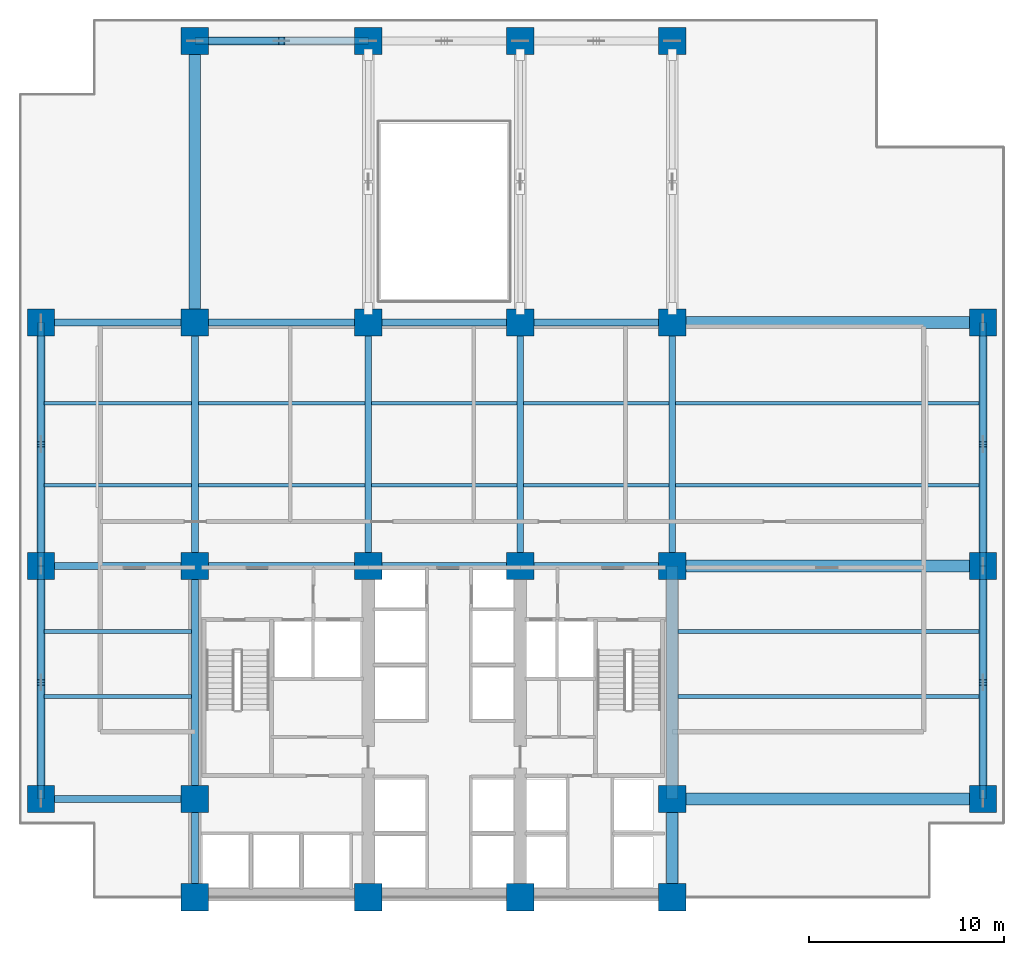
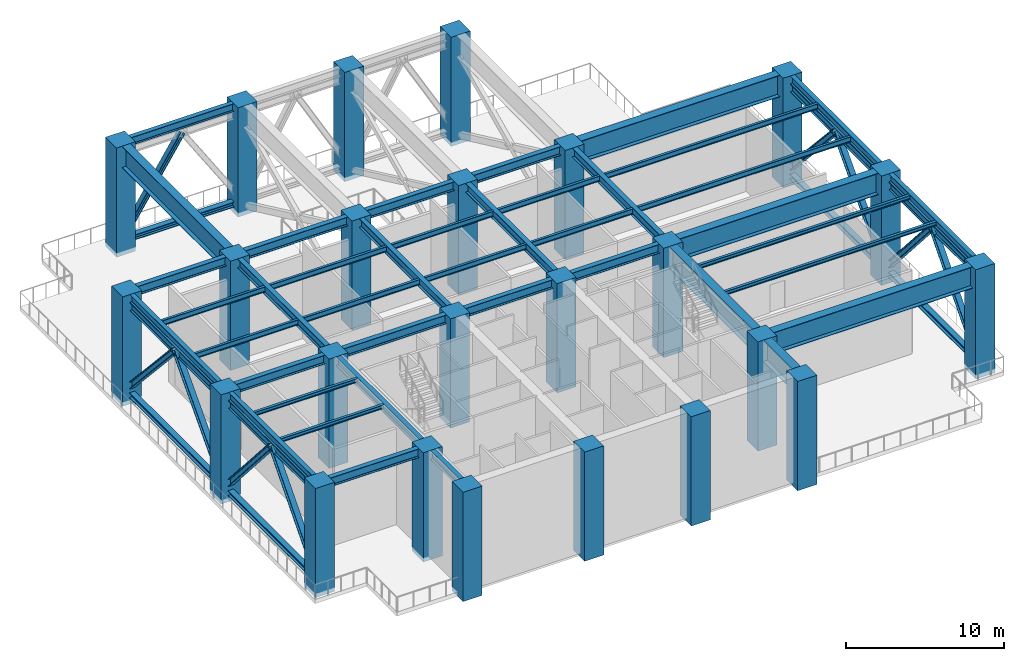
# One storey, part 1 of 7: 40 beams, 24 columns, 18 members.
"""IFC4 building model written with IfcOpenShell, lengths in metres."""

from ifc_helpers import new_model, si_unit, direction, frame, origin, origin_2d, place, context, subcontext, project, spatial, rectangle, i_section, extrude, material, material_profile, profile_set, type_object, element, save


model = new_model("IFC4")

# Units and contexts
model_context = context("Model", 3, precision=1e-05, world=origin(), true_north=direction((0.0, 1.0)))
body_context = subcontext(model_context, "Body", "Model", "MODEL_VIEW")
ifc_project = project(units=[si_unit("LENGTHUNIT", "METRE"), si_unit("AREAUNIT", "SQUARE_METRE"), si_unit("VOLUMEUNIT", "CUBIC_METRE"), si_unit("PLANEANGLEUNIT", "RADIAN"), si_unit("MASSUNIT", "GRAM", prefix="KILO")], contexts=[model_context])

# Site, building, storey
site_placement = place(None, origin())
site = spatial("IfcSite", under=ifc_project, at=site_placement, CompositionType="ELEMENT")
building_placement = place(site_placement, origin())
building = spatial("IfcBuilding", under=site, at=building_placement, Name="Qalmaran Belvedere Hotel", CompositionType="ELEMENT")
storey_placement = place(building_placement, frame((0.0, 0.0, 75.39990234375)))
storey = spatial("IfcBuildingStorey", under=building, at=storey_placement, Name="L19", CompositionType="ELEMENT", Elevation=75.39990234375)

# Columns
ifc_material_1 = material(Name="Concrete C60/75", Category="concrete")
ifc_material_profile_1 = material_profile(ifc_material_1, rectangle(XDim=1.39990234375, YDim=1.39990234375, at=origin_2d()), Name="CC1400X1400")
ifc_profile_set_1 = profile_set([ifc_material_profile_1], Name="Concrete C60/75")
column_type = type_object("IfcColumnType", Name="COL-Z1-CC1400", PredefinedType="COLUMN", material=ifc_profile_set_1)
for number, where, z_axis, x_axis, name in (
    (1, (20.300048828125, 3.5, -0.31982421875), (0.0, 0.0, 1.0), (1.0, 0.0, 0.0), "L19 Column C4B"),
    (2, (29.199951171875, 3.5, -0.31982421875), (0.0, 0.0, 1.0), (1.0, 0.0, 0.0), "L19 Column C5B"),
    (3, (37.0, 3.5, -0.31982421875), (0.0, 0.0, 1.0), (1.0, 0.0, 0.0), "L19 Column C6B"),
    (4, (44.800048828125, 3.5, -0.31982421875), (0.0, 0.0, 1.0), (1.0, 0.0, 0.0), "L19 Column C7B"),
    (5, (20.300048828125, 8.550048828125, -0.31982421875), (0.0, 0.0, 1.0), (1.0, 0.0, 0.0), "L19 Column C4C"),
    (6, (44.800048828125, 8.550048828125, -0.31982421875), (0.0, 0.0, 1.0), (1.0, 0.0, 0.0), "L19 Column C7C"),
    (7, (20.300048828125, 20.5, -0.31982421875), (0.0, 0.0, 1.0), (1.0, 0.0, 0.0), "L19 Column C4D"),
    (8, (29.199951171875, 20.5, -0.31982421875), (0.0, 0.0, 1.0), (1.0, 0.0, 0.0), "L19 Column C5D"),
    (9, (37.0, 20.5, -0.31982421875), (0.0, 0.0, 1.0), (1.0, 0.0, 0.0), "L19 Column C6D"),
    (10, (44.800048828125, 20.5, -0.31982421875), (0.0, 0.0, 1.0), (1.0, 0.0, 0.0), "L19 Column C7D"),
    (11, (20.300048828125, 33.0, -0.31982421875), (0.0, 0.0, 1.0), (1.0, 0.0, 0.0), "L19 Column C4F"),
    (12, (29.199951171875, 33.0, -0.31982421875), (0.0, 0.0, 1.0), (1.0, 0.0, 0.0), "L19 Column C5F"),
    (13, (37.0, 33.0, -0.31982421875), (0.0, 0.0, 1.0), (1.0, 0.0, 0.0), "L19 Column C6F"),
    (14, (44.800048828125, 33.0, -0.31982421875), (0.0, 0.0, 1.0), (1.0, 0.0, 0.0), "L19 Column C7F"),
    (15, (12.39990234375, 8.550048828125, -0.31982421875), (0.0, 0.0, 1.0), (1.0, 0.0, 0.0), "L19 Column CW1"),
    (16, (12.39990234375, 20.5, -0.31982421875), (0.0, 0.0, 1.0), (1.0, 0.0, 0.0), "L19 Column CW3"),
    (17, (12.39990234375, 33.0, -0.31982421875), (0.0, 0.0, 1.0), (1.0, 0.0, 0.0), "L19 Column CW4"),
    (18, (60.75, 8.550048828125, -0.31982421875), (0.0, 0.0, 1.0), (1.0, 0.0, 0.0), "L19 Column CE1"),
    (19, (60.75, 20.5, -0.31982421875), (0.0, 0.0, 1.0), (1.0, 0.0, 0.0), "L19 Column CE3"),
    (20, (60.75, 33.0, -0.31982421875), (0.0, 0.0, 1.0), (1.0, 0.0, 0.0), "L19 Column CE4"),
    (21, (20.300048828125, 47.449951171875, -0.31982421875), (0.0, 0.0, 1.0), (1.0, 0.0, 0.0), "L19 Column CN1"),
    (22, (29.199951171875, 47.449951171875, -0.31982421875), (0.0, 0.0, 1.0), (1.0, 0.0, 0.0), "L19 Column CN2"),
    (23, (37.0, 47.449951171875, -0.31982421875), (0.0, 0.0, 1.0), (1.0, 0.0, 0.0), "L19 Column CN3"),
    (24, (44.800048828125, 47.449951171875, -0.31982421875), (0.0, 0.0, 1.0), (1.0, 0.0, 0.0), "L19 Column CN4"),
):
    element("IfcColumn", number, at=place(storey_placement, frame(where, z_axis=z_axis, x_axis=x_axis)), inside=storey, type_object=column_type, Name=name, PredefinedType="COLUMN", context=body_context, shape_type="SweptSolid", body=[
        extrude(rectangle(XDim=1.39990234375, YDim=1.39990234375, at=origin_2d()), origin(), (0.0, 0.0, 1.0), 8.4599609375),
    ])

# Beams
ifc_material_2 = material(Name="Steel S355JR", Category="steel")
ifc_material_profile_2 = material_profile(ifc_material_2, i_section(OverallWidth=0.202880859375, OverallDepth=0.302978515625, WebThickness=0.007568359375, FlangeThickness=0.01318359375, FilletRadius=0.012939453125, at=origin_2d()), Name="W310X60")
ifc_profile_set_2 = profile_set([ifc_material_profile_2], Name="Steel S355JR")
beam_type_1 = type_object("IfcBeamType", Name="BM-JST-W310X60", PredefinedType="JOIST", material=ifc_profile_set_2)
beam_1_placement = place(storey_placement, frame((12.5615234375, 13.800048828125, 7.988525390625), z_axis=(1.0, 0.0, 0.0), x_axis=(0.0, 1.0, 0.0)))
element("IfcBeam", 25, at=beam_1_placement, inside=storey, type_object=beam_type_1, Name="L19 West Wing Joist 038", PredefinedType="JOIST", context=body_context, shape_type="SweptSolid", body=[
    extrude(i_section(OverallWidth=0.202880859375, OverallDepth=0.302978515625, WebThickness=0.007568359375, FlangeThickness=0.01318359375, FilletRadius=0.012939453125, at=origin_2d()), origin(), (0.0, 0.0, 1.0), 7.56298828125),
])
beam_2_placement = place(storey_placement, frame((45.097900390625, 13.800048828125, 7.988525390625), z_axis=(1.0, 0.0, 0.0), x_axis=(0.0, 1.0, 0.0)))
element("IfcBeam", 26, at=beam_2_placement, inside=storey, type_object=beam_type_1, Name="L19 East Wing Joist 039", PredefinedType="JOIST", context=body_context, shape_type="SweptSolid", body=[
    extrude(i_section(OverallWidth=0.202880859375, OverallDepth=0.302978515625, WebThickness=0.007568359375, FlangeThickness=0.01318359375, FilletRadius=0.012939453125, at=origin_2d()), origin(), (0.0, 0.0, 1.0), 15.490478515625),
])
beam_3_placement = place(storey_placement, frame((12.5615234375, 17.14990234375, 7.988525390625), z_axis=(1.0, 0.0, 0.0), x_axis=(0.0, 1.0, 0.0)))
element("IfcBeam", 27, at=beam_3_placement, inside=storey, type_object=beam_type_1, Name="L19 West Wing Joist 040", PredefinedType="JOIST", context=body_context, shape_type="SweptSolid", body=[
    extrude(i_section(OverallWidth=0.202880859375, OverallDepth=0.302978515625, WebThickness=0.007568359375, FlangeThickness=0.01318359375, FilletRadius=0.012939453125, at=origin_2d()), origin(), (0.0, 0.0, 1.0), 7.56298828125),
])
beam_4_placement = place(storey_placement, frame((45.097900390625, 17.14990234375, 7.988525390625), z_axis=(1.0, 0.0, 0.0), x_axis=(0.0, 1.0, 0.0)))
element("IfcBeam", 28, at=beam_4_placement, inside=storey, type_object=beam_type_1, Name="L19 East Wing Joist 041", PredefinedType="JOIST", context=body_context, shape_type="SweptSolid", body=[
    extrude(i_section(OverallWidth=0.202880859375, OverallDepth=0.302978515625, WebThickness=0.007568359375, FlangeThickness=0.01318359375, FilletRadius=0.012939453125, at=origin_2d()), origin(), (0.0, 0.0, 1.0), 15.490478515625),
])
ifc_material_profile_3 = material_profile(ifc_material_2, i_section(OverallWidth=0.180908203125, OverallDepth=0.4169921875, WebThickness=0.010986328125, FlangeThickness=0.018310546875, FilletRadius=0.014892578125, at=origin_2d()), Name="W410X85")
ifc_profile_set_3 = profile_set([ifc_material_profile_3], Name="Steel S355JR")
beam_type_2 = type_object("IfcBeamType", Name="BM-SB1-W410X85", PredefinedType="BEAM", material=ifc_profile_set_3)
beam_5_placement = place(storey_placement, frame((12.5615234375, 24.64990234375, 7.931640625), z_axis=(1.0, 0.0, 0.0), x_axis=(0.0, 1.0, 0.0)))
element("IfcBeam", 29, at=beam_5_placement, inside=storey, type_object=beam_type_2, Name="L19 West Secondary Beam 028", PredefinedType="BEAM", context=body_context, shape_type="SweptSolid", body=[
    extrude(i_section(OverallWidth=0.180908203125, OverallDepth=0.4169921875, WebThickness=0.010986328125, FlangeThickness=0.018310546875, FilletRadius=0.014892578125, at=origin_2d()), origin(), (0.0, 0.0, 1.0), 7.56298828125),
])
beam_6_placement = place(storey_placement, frame((20.4755859375, 24.64990234375, 7.931640625), z_axis=(1.0, 0.0, 0.0), x_axis=(0.0, 1.0, 0.0)))
element("IfcBeam", 30, at=beam_6_placement, inside=storey, type_object=beam_type_2, Name="L19 Secondary Floor Beam 029", PredefinedType="BEAM", context=body_context, shape_type="SweptSolid", body=[
    extrude(i_section(OverallWidth=0.180908203125, OverallDepth=0.4169921875, WebThickness=0.010986328125, FlangeThickness=0.018310546875, FilletRadius=0.014892578125, at=origin_2d()), origin(), (0.0, 0.0, 1.0), 8.548828125),
])
for number, where, z_axis, x_axis, name in (
    (31, (29.37548828125, 24.64990234375, 7.931640625), (1.0, 0.0, 0.0), (0.0, 1.0, 0.0), "L19 Secondary Floor Beam 030"),
    (32, (37.175537109375, 24.64990234375, 7.931640625), (1.0, 0.0, 0.0), (0.0, 1.0, 0.0), "L19 Secondary Floor Beam 031"),
):
    element("IfcBeam", number, at=place(storey_placement, frame(where, z_axis=z_axis, x_axis=x_axis)), inside=storey, type_object=beam_type_2, Name=name, PredefinedType="BEAM", context=body_context, shape_type="SweptSolid", body=[
        extrude(i_section(OverallWidth=0.180908203125, OverallDepth=0.4169921875, WebThickness=0.010986328125, FlangeThickness=0.018310546875, FilletRadius=0.014892578125, at=origin_2d()), origin(), (0.0, 0.0, 1.0), 7.448974609375),
    ])
beam_7_placement = place(storey_placement, frame((44.9755859375, 24.64990234375, 7.931640625), z_axis=(1.0, 0.0, 0.0), x_axis=(0.0, 1.0, 0.0)))
element("IfcBeam", 33, at=beam_7_placement, inside=storey, type_object=beam_type_2, Name="L19 East Secondary Beam 032", PredefinedType="BEAM", context=body_context, shape_type="SweptSolid", body=[
    extrude(i_section(OverallWidth=0.180908203125, OverallDepth=0.4169921875, WebThickness=0.010986328125, FlangeThickness=0.018310546875, FilletRadius=0.014892578125, at=origin_2d()), origin(), (0.0, 0.0, 1.0), 15.61279296875),
])
beam_8_placement = place(storey_placement, frame((12.5615234375, 28.85009765625, 7.931640625), z_axis=(1.0, 0.0, 0.0), x_axis=(0.0, 1.0, 0.0)))
element("IfcBeam", 34, at=beam_8_placement, inside=storey, type_object=beam_type_2, Name="L19 West Secondary Beam 033", PredefinedType="BEAM", context=body_context, shape_type="SweptSolid", body=[
    extrude(i_section(OverallWidth=0.180908203125, OverallDepth=0.4169921875, WebThickness=0.010986328125, FlangeThickness=0.018310546875, FilletRadius=0.014892578125, at=origin_2d()), origin(), (0.0, 0.0, 1.0), 7.56298828125),
])
beam_9_placement = place(storey_placement, frame((20.4755859375, 28.85009765625, 7.931640625), z_axis=(1.0, 0.0, 0.0), x_axis=(0.0, 1.0, 0.0)))
element("IfcBeam", 35, at=beam_9_placement, inside=storey, type_object=beam_type_2, Name="L19 Secondary Floor Beam 034", PredefinedType="BEAM", context=body_context, shape_type="SweptSolid", body=[
    extrude(i_section(OverallWidth=0.180908203125, OverallDepth=0.4169921875, WebThickness=0.010986328125, FlangeThickness=0.018310546875, FilletRadius=0.014892578125, at=origin_2d()), origin(), (0.0, 0.0, 1.0), 8.548828125),
])
for number, where, z_axis, x_axis, name in (
    (36, (29.37548828125, 28.85009765625, 7.931640625), (1.0, 0.0, 0.0), (0.0, 1.0, 0.0), "L19 Secondary Floor Beam 035"),
    (37, (37.175537109375, 28.85009765625, 7.931640625), (1.0, 0.0, 0.0), (0.0, 1.0, 0.0), "L19 Secondary Floor Beam 036"),
):
    element("IfcBeam", number, at=place(storey_placement, frame(where, z_axis=z_axis, x_axis=x_axis)), inside=storey, type_object=beam_type_2, Name=name, PredefinedType="BEAM", context=body_context, shape_type="SweptSolid", body=[
        extrude(i_section(OverallWidth=0.180908203125, OverallDepth=0.4169921875, WebThickness=0.010986328125, FlangeThickness=0.018310546875, FilletRadius=0.014892578125, at=origin_2d()), origin(), (0.0, 0.0, 1.0), 7.448974609375),
    ])
beam_10_placement = place(storey_placement, frame((44.9755859375, 28.85009765625, 7.931640625), z_axis=(1.0, 0.0, 0.0), x_axis=(0.0, 1.0, 0.0)))
element("IfcBeam", 38, at=beam_10_placement, inside=storey, type_object=beam_type_2, Name="L19 East Secondary Beam 037", PredefinedType="BEAM", context=body_context, shape_type="SweptSolid", body=[
    extrude(i_section(OverallWidth=0.180908203125, OverallDepth=0.4169921875, WebThickness=0.010986328125, FlangeThickness=0.018310546875, FilletRadius=0.014892578125, at=origin_2d()), origin(), (0.0, 0.0, 1.0), 15.61279296875),
])
ifc_material_profile_4 = material_profile(ifc_material_2, i_section(OverallWidth=0.326904296875, OverallDepth=0.6220703125, WebThickness=0.015380859375, FlangeThickness=0.0244140625, FilletRadius=0.02001953125, at=origin_2d()), Name="W610X195")
ifc_profile_set_4 = profile_set([ifc_material_profile_4], Name="Steel S355JR")
beam_type_3 = type_object("IfcBeamType", Name="BM-SP1-W610X195", PredefinedType="SPANDREL", material=ifc_profile_set_4)
beam_11_placement = place(storey_placement, frame((12.39990234375, 8.550048828125, 7.8291015625), z_axis=(0.0, 1.0, 0.0), x_axis=(-1.0, 0.0, 0.0)))
element("IfcBeam", 39, at=beam_11_placement, inside=storey, type_object=beam_type_3, Name="L19 Perimeter Spandrel 01", PredefinedType="SPANDREL", context=body_context, shape_type="SweptSolid", body=[
    extrude(i_section(OverallWidth=0.326904296875, OverallDepth=0.6220703125, WebThickness=0.015380859375, FlangeThickness=0.0244140625, FilletRadius=0.02001953125, at=origin_2d()), origin(), (0.0, 0.0, 1.0), 11.949951171875),
])
beam_12_placement = place(storey_placement, frame((12.39990234375, 20.5, 7.8291015625), z_axis=(0.0, 1.0, 0.0), x_axis=(-1.0, 0.0, 0.0)))
element("IfcBeam", 40, at=beam_12_placement, inside=storey, type_object=beam_type_3, Name="L19 Perimeter Spandrel 02", PredefinedType="SPANDREL", context=body_context, shape_type="SweptSolid", body=[
    extrude(i_section(OverallWidth=0.326904296875, OverallDepth=0.6220703125, WebThickness=0.015380859375, FlangeThickness=0.0244140625, FilletRadius=0.02001953125, at=origin_2d()), origin(), (0.0, 0.0, 1.0), 12.5),
])
beam_13_placement = place(storey_placement, frame((60.75, 8.550048828125, 7.8291015625), z_axis=(0.0, 1.0, 0.0), x_axis=(-1.0, 0.0, 0.0)))
element("IfcBeam", 41, at=beam_13_placement, inside=storey, type_object=beam_type_3, Name="L19 Perimeter Spandrel 03", PredefinedType="SPANDREL", context=body_context, shape_type="SweptSolid", body=[
    extrude(i_section(OverallWidth=0.326904296875, OverallDepth=0.6220703125, WebThickness=0.015380859375, FlangeThickness=0.0244140625, FilletRadius=0.02001953125, at=origin_2d()), origin(), (0.0, 0.0, 1.0), 11.949951171875),
])
beam_14_placement = place(storey_placement, frame((60.75, 20.5, 7.8291015625), z_axis=(0.0, 1.0, 0.0), x_axis=(-1.0, 0.0, 0.0)))
element("IfcBeam", 42, at=beam_14_placement, inside=storey, type_object=beam_type_3, Name="L19 Perimeter Spandrel 04", PredefinedType="SPANDREL", context=body_context, shape_type="SweptSolid", body=[
    extrude(i_section(OverallWidth=0.326904296875, OverallDepth=0.6220703125, WebThickness=0.015380859375, FlangeThickness=0.0244140625, FilletRadius=0.02001953125, at=origin_2d()), origin(), (0.0, 0.0, 1.0), 12.5),
])
beam_15_placement = place(storey_placement, frame((20.300048828125, 47.449951171875, 7.8291015625), z_axis=(1.0, 0.0, 0.0), x_axis=(0.0, 1.0, 0.0)))
element("IfcBeam", 43, at=beam_15_placement, inside=storey, type_object=beam_type_3, Name="L19 Perimeter Spandrel 05", PredefinedType="SPANDREL", context=body_context, shape_type="SweptSolid", body=[
    extrude(i_section(OverallWidth=0.326904296875, OverallDepth=0.6220703125, WebThickness=0.015380859375, FlangeThickness=0.0244140625, FilletRadius=0.02001953125, at=origin_2d()), origin(), (0.0, 0.0, 1.0), 8.89990234375),
])
ifc_material_profile_5 = material_profile(ifc_material_2, i_section(OverallWidth=0.60009765625, OverallDepth=1.679931640625, WebThickness=0.02587890625, FlangeThickness=0.035888671875, at=origin_2d()), Name="PG1680X600X36")
ifc_profile_set_5 = profile_set([ifc_material_profile_5], Name="Steel S355JR")
beam_type_4 = type_object("IfcBeamType", Name="BM-TG5-PG1680X600", PredefinedType="USERDEFINED", material=ifc_profile_set_5)
beam_16_placement = place(storey_placement, frame((20.300048828125, 33.0, 7.300048828125), z_axis=(0.0, 1.0, 0.0), x_axis=(-1.0, 0.0, 0.0)))
element("IfcBeam", 44, at=beam_16_placement, inside=storey, type_object=beam_type_4, Name="L19 North Bay Setback Transfer Girder 15", ObjectType="GIRDER", PredefinedType="USERDEFINED", context=body_context, shape_type="SweptSolid", body=[
    extrude(i_section(OverallWidth=0.60009765625, OverallDepth=1.679931640625, WebThickness=0.02587890625, FlangeThickness=0.035888671875, at=origin_2d()), origin(), (0.0, 0.0, 1.0), 14.449951171875),
])
beam_17_placement = place(storey_placement, frame((44.800048828125, 3.5, 7.300048828125), z_axis=(0.0, 1.0, 0.0), x_axis=(-1.0, 0.0, 0.0)))
element("IfcBeam", 45, at=beam_17_placement, inside=storey, type_object=beam_type_4, Name="L19 East Core Edge Girder A", ObjectType="GIRDER", PredefinedType="USERDEFINED", context=body_context, shape_type="SweptSolid", body=[
    extrude(i_section(OverallWidth=0.60009765625, OverallDepth=1.679931640625, WebThickness=0.02587890625, FlangeThickness=0.035888671875, at=origin_2d()), origin(), (0.0, 0.0, 1.0), 5.050048828125),
])
beam_18_placement = place(storey_placement, frame((44.800048828125, 8.550048828125, 7.300048828125), z_axis=(0.0, 1.0, 0.0), x_axis=(-1.0, 0.0, 0.0)))
element("IfcBeam", 46, at=beam_18_placement, inside=storey, type_object=beam_type_4, Name="L19 East Core Edge Girder B", ObjectType="GIRDER", PredefinedType="USERDEFINED", context=body_context, shape_type="SweptSolid", body=[
    extrude(i_section(OverallWidth=0.60009765625, OverallDepth=1.679931640625, WebThickness=0.02587890625, FlangeThickness=0.035888671875, at=origin_2d()), origin(), (0.0, 0.0, 1.0), 11.949951171875),
])
for number, where, z_axis, x_axis, name in (
    (47, (44.800048828125, 8.550048828125, 7.300048828125), (1.0, 0.0, 0.0), (0.0, 1.0, 0.0), "L19 East Wing Setback Transfer Girder 25"),
    (48, (44.800048828125, 20.5, 7.300048828125), (1.0, 0.0, 0.0), (0.0, 1.0, 0.0), "L19 East Wing Setback Transfer Girder 26"),
    (49, (44.800048828125, 33.0, 7.300048828125), (1.0, 0.0, 0.0), (0.0, 1.0, 0.0), "L19 East Wing Setback Transfer Girder 27"),
):
    element("IfcBeam", number, at=place(storey_placement, frame(where, z_axis=z_axis, x_axis=x_axis)), inside=storey, type_object=beam_type_4, Name=name, ObjectType="GIRDER", PredefinedType="USERDEFINED", context=body_context, shape_type="SweptSolid", body=[
        extrude(i_section(OverallWidth=0.60009765625, OverallDepth=1.679931640625, WebThickness=0.02587890625, FlangeThickness=0.035888671875, at=origin_2d()), origin(), (0.0, 0.0, 1.0), 15.949951171875),
    ])
ifc_material_profile_6 = material_profile(ifc_material_2, i_section(OverallWidth=0.35498046875, OverallDepth=0.695068359375, WebThickness=0.015380859375, FlangeThickness=0.02490234375, FilletRadius=0.02197265625, at=origin_2d()), Name="W690X217")
ifc_profile_set_6 = profile_set([ifc_material_profile_6], Name="Steel S355JR")
beam_type_5 = type_object("IfcBeamType", Name="BM-Z1-W690X217", PredefinedType="USERDEFINED", material=ifc_profile_set_6)
beam_19_placement = place(storey_placement, frame((20.300048828125, 20.5, 7.79248046875), z_axis=(1.0, 0.0, 0.0), x_axis=(0.0, 1.0, 0.0)))
element("IfcBeam", 50, at=beam_19_placement, inside=storey, type_object=beam_type_5, Name="L19 Interior E-W Girder 08", ObjectType="GIRDER", PredefinedType="USERDEFINED", context=body_context, shape_type="SweptSolid", body=[
    extrude(i_section(OverallWidth=0.35498046875, OverallDepth=0.695068359375, WebThickness=0.015380859375, FlangeThickness=0.02490234375, FilletRadius=0.02197265625, at=origin_2d()), origin(), (0.0, 0.0, 1.0), 8.89990234375),
])
for number, where, z_axis, x_axis, name in (
    (51, (29.199951171875, 20.5, 7.79248046875), (1.0, 0.0, 0.0), (0.0, 1.0, 0.0), "L19 Interior E-W Girder 09"),
    (52, (37.0, 20.5, 7.79248046875), (1.0, 0.0, 0.0), (0.0, 1.0, 0.0), "L19 Interior E-W Girder 10"),
):
    element("IfcBeam", number, at=place(storey_placement, frame(where, z_axis=z_axis, x_axis=x_axis)), inside=storey, type_object=beam_type_5, Name=name, ObjectType="GIRDER", PredefinedType="USERDEFINED", context=body_context, shape_type="SweptSolid", body=[
        extrude(i_section(OverallWidth=0.35498046875, OverallDepth=0.695068359375, WebThickness=0.015380859375, FlangeThickness=0.02490234375, FilletRadius=0.02197265625, at=origin_2d()), origin(), (0.0, 0.0, 1.0), 7.800048828125),
    ])
beam_20_placement = place(storey_placement, frame((20.300048828125, 33.0, 7.79248046875), z_axis=(1.0, 0.0, 0.0), x_axis=(0.0, 1.0, 0.0)))
element("IfcBeam", 53, at=beam_20_placement, inside=storey, type_object=beam_type_5, Name="L19 Interior E-W Girder 11", ObjectType="GIRDER", PredefinedType="USERDEFINED", context=body_context, shape_type="SweptSolid", body=[
    extrude(i_section(OverallWidth=0.35498046875, OverallDepth=0.695068359375, WebThickness=0.015380859375, FlangeThickness=0.02490234375, FilletRadius=0.02197265625, at=origin_2d()), origin(), (0.0, 0.0, 1.0), 8.89990234375),
])
for number, where, z_axis, x_axis, name in (
    (54, (29.199951171875, 33.0, 7.79248046875), (1.0, 0.0, 0.0), (0.0, 1.0, 0.0), "L19 Interior E-W Girder 12"),
    (55, (37.0, 33.0, 7.79248046875), (1.0, 0.0, 0.0), (0.0, 1.0, 0.0), "L19 Interior E-W Girder 13"),
):
    element("IfcBeam", number, at=place(storey_placement, frame(where, z_axis=z_axis, x_axis=x_axis)), inside=storey, type_object=beam_type_5, Name=name, ObjectType="GIRDER", PredefinedType="USERDEFINED", context=body_context, shape_type="SweptSolid", body=[
        extrude(i_section(OverallWidth=0.35498046875, OverallDepth=0.695068359375, WebThickness=0.015380859375, FlangeThickness=0.02490234375, FilletRadius=0.02197265625, at=origin_2d()), origin(), (0.0, 0.0, 1.0), 7.800048828125),
    ])
for number, where, z_axis, x_axis, name in (
    (56, (20.300048828125, 20.5, 7.79248046875), (0.0, 1.0, 0.0), (-1.0, 0.0, 0.0), "L19 Mid-Plate N-S Girder 14"),
    (57, (29.199951171875, 20.5, 7.79248046875), (0.0, 1.0, 0.0), (-1.0, 0.0, 0.0), "L19 Mid-Plate N-S Girder 16"),
    (58, (37.0, 20.5, 7.79248046875), (0.0, 1.0, 0.0), (-1.0, 0.0, 0.0), "L19 Mid-Plate N-S Girder 18"),
    (59, (44.800048828125, 20.5, 7.79248046875), (0.0, 1.0, 0.0), (-1.0, 0.0, 0.0), "L19 Mid-Plate N-S Girder 20"),
):
    element("IfcBeam", number, at=place(storey_placement, frame(where, z_axis=z_axis, x_axis=x_axis)), inside=storey, type_object=beam_type_5, Name=name, ObjectType="GIRDER", PredefinedType="USERDEFINED", context=body_context, shape_type="SweptSolid", body=[
        extrude(i_section(OverallWidth=0.35498046875, OverallDepth=0.695068359375, WebThickness=0.015380859375, FlangeThickness=0.02490234375, FilletRadius=0.02197265625, at=origin_2d()), origin(), (0.0, 0.0, 1.0), 12.5),
    ])
for number, where, z_axis, x_axis, name in (
    (60, (12.39990234375, 8.550048828125, 7.79248046875), (1.0, 0.0, 0.0), (0.0, 1.0, 0.0), "L19 West Wing Girder 22"),
    (61, (12.39990234375, 20.5, 7.79248046875), (1.0, 0.0, 0.0), (0.0, 1.0, 0.0), "L19 West Wing Girder 23"),
    (62, (12.39990234375, 33.0, 7.79248046875), (1.0, 0.0, 0.0), (0.0, 1.0, 0.0), "L19 West Wing Girder 24"),
):
    element("IfcBeam", number, at=place(storey_placement, frame(where, z_axis=z_axis, x_axis=x_axis)), inside=storey, type_object=beam_type_5, Name=name, ObjectType="GIRDER", PredefinedType="USERDEFINED", context=body_context, shape_type="SweptSolid", body=[
        extrude(i_section(OverallWidth=0.35498046875, OverallDepth=0.695068359375, WebThickness=0.015380859375, FlangeThickness=0.02490234375, FilletRadius=0.02197265625, at=origin_2d()), origin(), (0.0, 0.0, 1.0), 7.900146484375),
    ])
beam_21_placement = place(storey_placement, frame((20.300048828125, 3.5, 7.79248046875), z_axis=(0.0, 1.0, 0.0), x_axis=(-1.0, 0.0, 0.0)))
element("IfcBeam", 63, at=beam_21_placement, inside=storey, type_object=beam_type_5, Name="L19 West Core Edge Girder A", ObjectType="GIRDER", PredefinedType="USERDEFINED", context=body_context, shape_type="SweptSolid", body=[
    extrude(i_section(OverallWidth=0.35498046875, OverallDepth=0.695068359375, WebThickness=0.015380859375, FlangeThickness=0.02490234375, FilletRadius=0.02197265625, at=origin_2d()), origin(), (0.0, 0.0, 1.0), 5.050048828125),
])
beam_22_placement = place(storey_placement, frame((20.300048828125, 8.550048828125, 7.79248046875), z_axis=(0.0, 1.0, 0.0), x_axis=(-1.0, 0.0, 0.0)))
element("IfcBeam", 64, at=beam_22_placement, inside=storey, type_object=beam_type_5, Name="L19 West Core Edge Girder B", ObjectType="GIRDER", PredefinedType="USERDEFINED", context=body_context, shape_type="SweptSolid", body=[
    extrude(i_section(OverallWidth=0.35498046875, OverallDepth=0.695068359375, WebThickness=0.015380859375, FlangeThickness=0.02490234375, FilletRadius=0.02197265625, at=origin_2d()), origin(), (0.0, 0.0, 1.0), 11.949951171875),
])

# Members
ifc_material_profile_7 = material_profile(ifc_material_2, i_section(OverallWidth=0.39892578125, OverallDepth=0.39306640625, WebThickness=0.022705078125, FlangeThickness=0.03662109375, FilletRadius=0.014892578125, at=origin_2d()), Name="HD400X287")
ifc_profile_set_7 = profile_set([ifc_material_profile_7], Name="Steel S355JR")
member_type_1 = type_object("IfcMemberType", Name="MEM-BR1-HD400X287", PredefinedType="BRACE", material=ifc_profile_set_7)
for number, where, z_axis, x_axis, name in (
    (65, (12.39990234375, 8.550048828125, 0.35009765625), (0.0, 0.657866832031, 0.753134271769), (-1.0, 0.0, 0.0), "L19 Belt Truss Diagonal 01A"),
    (66, (12.39990234375, 20.5, 0.35009765625), (0.0, -0.65788207902, 0.753120953171), (1.0, 0.0, 0.0), "L19 Belt Truss Diagonal 01B"),
):
    element("IfcMember", number, at=place(storey_placement, frame(where, z_axis=z_axis, x_axis=x_axis)), inside=storey, type_object=member_type_1, Name=name, PredefinedType="BRACE", context=body_context, shape_type="SweptSolid", body=[
        extrude(i_section(OverallWidth=0.39892578125, OverallDepth=0.39306640625, WebThickness=0.022705078125, FlangeThickness=0.03662109375, FilletRadius=0.014892578125, at=origin_2d()), origin(), (0.0, 0.0, 1.0), 9.082275390625),
    ])
for number, where, z_axis, x_axis, name in (
    (67, (12.39990234375, 20.5, 0.35009765625), (0.0, 0.674546094619, 0.738232731755), (-1.0, 0.0, 0.0), "L19 Belt Truss Diagonal 02A"),
    (68, (12.39990234375, 33.0, 0.35009765625), (0.0, -0.674546094619, 0.738232731755), (1.0, 0.0, 0.0), "L19 Belt Truss Diagonal 02B"),
):
    element("IfcMember", number, at=place(storey_placement, frame(where, z_axis=z_axis, x_axis=x_axis)), inside=storey, type_object=member_type_1, Name=name, PredefinedType="BRACE", context=body_context, shape_type="SweptSolid", body=[
        extrude(i_section(OverallWidth=0.39892578125, OverallDepth=0.39306640625, WebThickness=0.022705078125, FlangeThickness=0.03662109375, FilletRadius=0.014892578125, at=origin_2d()), origin(), (0.0, 0.0, 1.0), 9.265380859375),
    ])
for number, where, z_axis, x_axis, name in (
    (69, (60.75, 8.550048828125, 0.35009765625), (0.0, 0.657866832031, 0.753134271769), (-1.0, 0.0, 0.0), "L19 Belt Truss Diagonal 03A"),
    (70, (60.75, 20.5, 0.35009765625), (0.0, -0.65788207902, 0.753120953171), (1.0, 0.0, 0.0), "L19 Belt Truss Diagonal 03B"),
):
    element("IfcMember", number, at=place(storey_placement, frame(where, z_axis=z_axis, x_axis=x_axis)), inside=storey, type_object=member_type_1, Name=name, PredefinedType="BRACE", context=body_context, shape_type="SweptSolid", body=[
        extrude(i_section(OverallWidth=0.39892578125, OverallDepth=0.39306640625, WebThickness=0.022705078125, FlangeThickness=0.03662109375, FilletRadius=0.014892578125, at=origin_2d()), origin(), (0.0, 0.0, 1.0), 9.082275390625),
    ])
for number, where, z_axis, x_axis, name in (
    (71, (60.75, 20.5, 0.35009765625), (0.0, 0.674546094619, 0.738232731755), (-1.0, 0.0, 0.0), "L19 Belt Truss Diagonal 04A"),
    (72, (60.75, 33.0, 0.35009765625), (0.0, -0.674546094619, 0.738232731755), (1.0, 0.0, 0.0), "L19 Belt Truss Diagonal 04B"),
):
    element("IfcMember", number, at=place(storey_placement, frame(where, z_axis=z_axis, x_axis=x_axis)), inside=storey, type_object=member_type_1, Name=name, PredefinedType="BRACE", context=body_context, shape_type="SweptSolid", body=[
        extrude(i_section(OverallWidth=0.39892578125, OverallDepth=0.39306640625, WebThickness=0.022705078125, FlangeThickness=0.03662109375, FilletRadius=0.014892578125, at=origin_2d()), origin(), (0.0, 0.0, 1.0), 9.265380859375),
    ])
member_1_placement = place(storey_placement, frame((20.300048828125, 47.449951171875, 0.35009765625), z_axis=(0.545323772308, 0.0, 0.838225496722), x_axis=(0.0, 1.0, 0.0)))
element("IfcMember", 73, at=member_1_placement, inside=storey, type_object=member_type_1, Name="L19 Belt Truss Diagonal 05A", PredefinedType="BRACE", context=body_context, shape_type="SweptSolid", body=[
    extrude(i_section(OverallWidth=0.39892578125, OverallDepth=0.39306640625, WebThickness=0.022705078125, FlangeThickness=0.03662109375, FilletRadius=0.014892578125, at=origin_2d()), origin(), (0.0, 0.0, 1.0), 8.16015625),
])
ifc_material_profile_8 = material_profile(ifc_material_2, i_section(OverallWidth=0.40087890625, OverallDepth=0.39892578125, WebThickness=0.02490234375, FlangeThickness=0.03955078125, FilletRadius=0.014892578125, at=origin_2d()), Name="HD400X314")
ifc_profile_set_8 = profile_set([ifc_material_profile_8], Name="Steel S355JR")
member_type_2 = type_object("IfcMemberType", Name="MEM-CH1-HD400X314", PredefinedType="CHORD", material=ifc_profile_set_8)
member_2_placement = place(storey_placement, frame((12.39990234375, 8.550048828125, 0.35009765625), z_axis=(0.0, 1.0, 0.0), x_axis=(-1.0, 0.0, 0.0)))
element("IfcMember", 74, at=member_2_placement, inside=storey, type_object=member_type_2, Name="L19 Belt Truss Bottom Chord 01", PredefinedType="CHORD", context=body_context, shape_type="SweptSolid", body=[
    extrude(i_section(OverallWidth=0.40087890625, OverallDepth=0.39892578125, WebThickness=0.02490234375, FlangeThickness=0.03955078125, FilletRadius=0.014892578125, at=origin_2d()), origin(), (0.0, 0.0, 1.0), 11.949951171875),
])
member_3_placement = place(storey_placement, frame((12.39990234375, 20.5, 0.35009765625), z_axis=(0.0, 1.0, 0.0), x_axis=(-1.0, 0.0, 0.0)))
element("IfcMember", 75, at=member_3_placement, inside=storey, type_object=member_type_2, Name="L19 Belt Truss Bottom Chord 02", PredefinedType="CHORD", context=body_context, shape_type="SweptSolid", body=[
    extrude(i_section(OverallWidth=0.40087890625, OverallDepth=0.39892578125, WebThickness=0.02490234375, FlangeThickness=0.03955078125, FilletRadius=0.014892578125, at=origin_2d()), origin(), (0.0, 0.0, 1.0), 12.5),
])
member_4_placement = place(storey_placement, frame((60.75, 8.550048828125, 0.35009765625), z_axis=(0.0, 1.0, 0.0), x_axis=(-1.0, 0.0, 0.0)))
element("IfcMember", 76, at=member_4_placement, inside=storey, type_object=member_type_2, Name="L19 Belt Truss Bottom Chord 03", PredefinedType="CHORD", context=body_context, shape_type="SweptSolid", body=[
    extrude(i_section(OverallWidth=0.40087890625, OverallDepth=0.39892578125, WebThickness=0.02490234375, FlangeThickness=0.03955078125, FilletRadius=0.014892578125, at=origin_2d()), origin(), (0.0, 0.0, 1.0), 11.949951171875),
])
member_5_placement = place(storey_placement, frame((60.75, 20.5, 0.35009765625), z_axis=(0.0, 1.0, 0.0), x_axis=(-1.0, 0.0, 0.0)))
element("IfcMember", 77, at=member_5_placement, inside=storey, type_object=member_type_2, Name="L19 Belt Truss Bottom Chord 04", PredefinedType="CHORD", context=body_context, shape_type="SweptSolid", body=[
    extrude(i_section(OverallWidth=0.40087890625, OverallDepth=0.39892578125, WebThickness=0.02490234375, FlangeThickness=0.03955078125, FilletRadius=0.014892578125, at=origin_2d()), origin(), (0.0, 0.0, 1.0), 12.5),
])
member_6_placement = place(storey_placement, frame((20.300048828125, 47.449951171875, 0.35009765625), z_axis=(1.0, 0.0, 0.0), x_axis=(0.0, 1.0, 0.0)))
element("IfcMember", 78, at=member_6_placement, inside=storey, type_object=member_type_2, Name="L19 Belt Truss Bottom Chord 05", PredefinedType="CHORD", context=body_context, shape_type="SweptSolid", body=[
    extrude(i_section(OverallWidth=0.40087890625, OverallDepth=0.39892578125, WebThickness=0.02490234375, FlangeThickness=0.03955078125, FilletRadius=0.014892578125, at=origin_2d()), origin(), (0.0, 0.0, 1.0), 8.89990234375),
])
ifc_material_profile_9 = material_profile(ifc_material_2, i_section(OverallWidth=0.300048828125, OverallDepth=0.60009765625, WebThickness=0.015380859375, FlangeThickness=0.028076171875, FilletRadius=0.027099609375, at=origin_2d()), Name="HEB600")
ifc_profile_set_9 = profile_set([ifc_material_profile_9], Name="Steel S355JR")
member_type_3 = type_object("IfcMemberType", Name="MEM-CH2-HEB600", PredefinedType="CHORD", material=ifc_profile_set_9)
member_7_placement = place(storey_placement, frame((12.39990234375, 8.550048828125, 7.190185546875), z_axis=(0.0, 1.0, 0.0), x_axis=(-1.0, 0.0, 0.0)))
element("IfcMember", 79, at=member_7_placement, inside=storey, type_object=member_type_3, Name="L19 Belt Truss Top Chord 01", PredefinedType="CHORD", context=body_context, shape_type="SweptSolid", body=[
    extrude(i_section(OverallWidth=0.300048828125, OverallDepth=0.60009765625, WebThickness=0.015380859375, FlangeThickness=0.028076171875, FilletRadius=0.027099609375, at=origin_2d()), origin(), (0.0, 0.0, 1.0), 11.949951171875),
])
member_8_placement = place(storey_placement, frame((12.39990234375, 20.5, 7.190185546875), z_axis=(0.0, 1.0, 0.0), x_axis=(-1.0, 0.0, 0.0)))
element("IfcMember", 80, at=member_8_placement, inside=storey, type_object=member_type_3, Name="L19 Belt Truss Top Chord 02", PredefinedType="CHORD", context=body_context, shape_type="SweptSolid", body=[
    extrude(i_section(OverallWidth=0.300048828125, OverallDepth=0.60009765625, WebThickness=0.015380859375, FlangeThickness=0.028076171875, FilletRadius=0.027099609375, at=origin_2d()), origin(), (0.0, 0.0, 1.0), 12.5),
])
member_9_placement = place(storey_placement, frame((60.75, 8.550048828125, 7.190185546875), z_axis=(0.0, 1.0, 0.0), x_axis=(-1.0, 0.0, 0.0)))
element("IfcMember", 81, at=member_9_placement, inside=storey, type_object=member_type_3, Name="L19 Belt Truss Top Chord 03", PredefinedType="CHORD", context=body_context, shape_type="SweptSolid", body=[
    extrude(i_section(OverallWidth=0.300048828125, OverallDepth=0.60009765625, WebThickness=0.015380859375, FlangeThickness=0.028076171875, FilletRadius=0.027099609375, at=origin_2d()), origin(), (0.0, 0.0, 1.0), 11.949951171875),
])
member_10_placement = place(storey_placement, frame((60.75, 20.5, 7.190185546875), z_axis=(0.0, 1.0, 0.0), x_axis=(-1.0, 0.0, 0.0)))
element("IfcMember", 82, at=member_10_placement, inside=storey, type_object=member_type_3, Name="L19 Belt Truss Top Chord 04", PredefinedType="CHORD", context=body_context, shape_type="SweptSolid", body=[
    extrude(i_section(OverallWidth=0.300048828125, OverallDepth=0.60009765625, WebThickness=0.015380859375, FlangeThickness=0.028076171875, FilletRadius=0.027099609375, at=origin_2d()), origin(), (0.0, 0.0, 1.0), 12.5),
])

save(model, "model.ifc")
